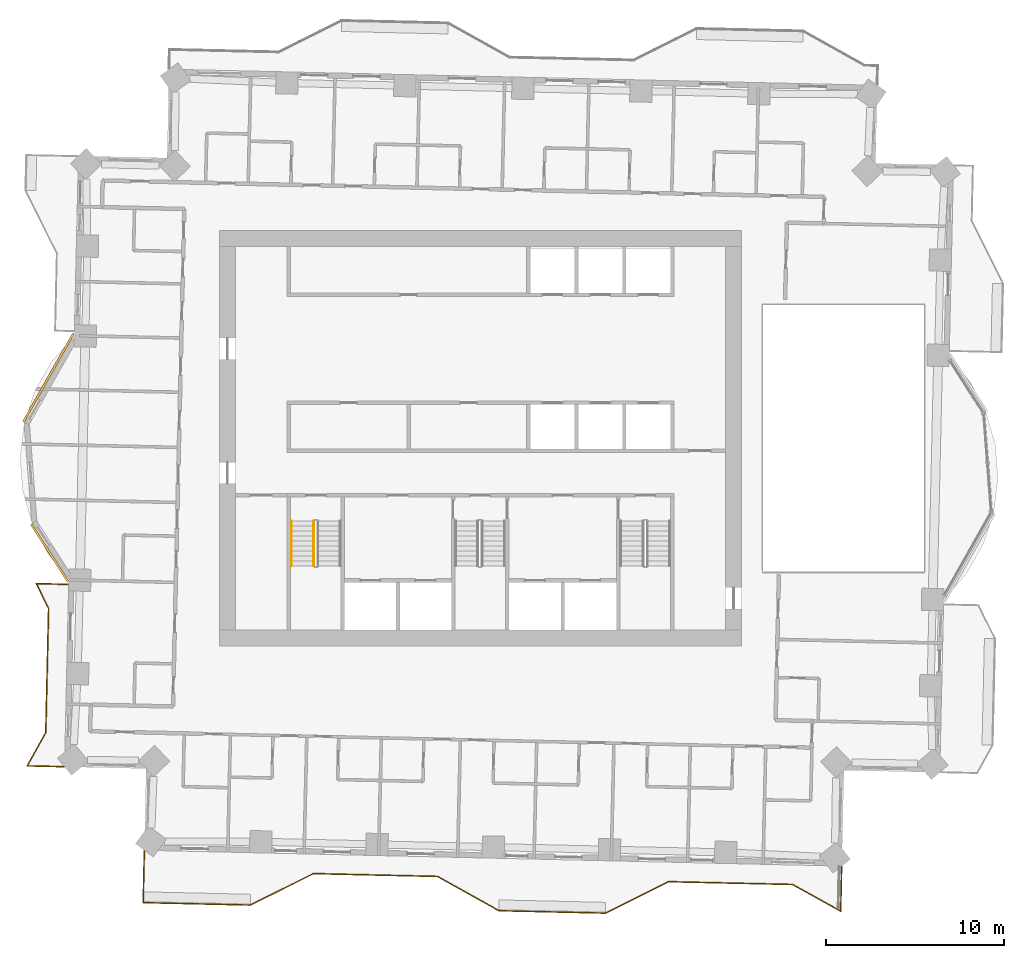
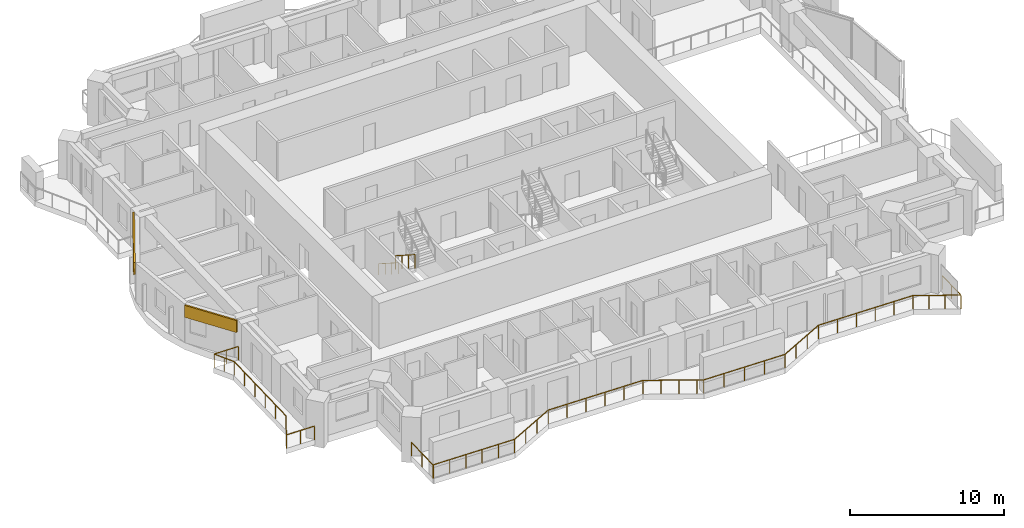
# One storey, part 11 of 14: 4 railings, 2 coverings.
"""IFC4 building model written with IfcOpenShell, lengths in metres."""

from ifc_helpers import new_model, si_unit, direction, frame, frame_2d, origin, origin_2d, place, context, subcontext, project, spatial, rectangle, circle, extrude, material, layer, layer_set, type_object, element, save


model = new_model("IFC4")

# Units and contexts
model_context = context("Model", 3, precision=1e-05, world=origin(), true_north=direction((0.0, 1.0)))
body_context = subcontext(model_context, "Body", "Model", "MODEL_VIEW")
ifc_project = project(units=[si_unit("LENGTHUNIT", "METRE"), si_unit("AREAUNIT", "SQUARE_METRE"), si_unit("VOLUMEUNIT", "CUBIC_METRE"), si_unit("PLANEANGLEUNIT", "RADIAN"), si_unit("MASSUNIT", "GRAM", prefix="KILO")], contexts=[model_context])

# Site, building, storey
site_placement = place(None, origin())
site = spatial("IfcSite", under=ifc_project, at=site_placement, CompositionType="ELEMENT")
building_placement = place(site_placement, origin())
building = spatial("IfcBuilding", under=site, at=building_placement, Name="Mangrove Gate Tower", CompositionType="ELEMENT")
storey_placement = place(building_placement, frame((0.0, 0.0, 159.89990234375)))
storey = spatial("IfcBuildingStorey", under=building, at=storey_placement, Name="L40", CompositionType="ELEMENT", Elevation=159.89990234375)

# Railings
ifc_material_1 = material(Name="Stainless steel grade 316 with laminated glass infill", Category="steel")
railing_type_1 = type_object("IfcRailingType", Name="Balcony guard 1100", PredefinedType="GUARDRAIL", material=ifc_material_1)
railing_1_placement = place(storey_placement, frame((-23.235107421875, -8.212890625, 0.0)))
element("IfcRailing", 1, at=railing_1_placement, inside=storey, type_object=railing_type_1, Name="GUARD L40 W2", PredefinedType="GUARDRAIL", context=body_context, shape_type="SweptSolid", body=[
    extrude(rectangle(XDim=0.048095703125, YDim=0.048095703125, at=origin_2d()), frame((0.0, 0.0, 1.076171875), z_axis=(-0.999751826813, 0.02227745014, 0.0), x_axis=(-0.02227745014, -0.999751826813, 0.0)), (0.0, 0.0, 1.0), 1.786376953125),
    extrude(rectangle(XDim=0.048095703125, YDim=0.048095703125, at=origin_2d()), frame((-1.785888671875, 0.039794921875, 1.076171875), z_axis=(0.447025166118, -0.894521380883, 0.0), x_axis=(0.894521380883, 0.447025166118, 0.0)), (0.0, 0.0, 1.0), 1.554931640625),
    extrude(rectangle(XDim=0.048095703125, YDim=0.048095703125, at=origin_2d()), frame((-1.0908203125, -1.35107421875, 1.076171875), z_axis=(-0.022740419861, -0.999741403216, 0.0), x_axis=(0.999741403216, -0.022740419861, 0.0)), (0.0, 0.0, 1.0), 6.999755859375),
    extrude(rectangle(XDim=0.048095703125, YDim=0.048095703125, at=origin_2d()), frame((-1.25, -8.34912109375, 1.076171875), z_axis=(-0.487108305648, -0.873341570388, 0.0), x_axis=(0.873341570388, -0.487108305648, 0.0)), (0.0, 0.0, 1.0), 2.149169921875),
    extrude(rectangle(XDim=0.048095703125, YDim=0.048095703125, at=origin_2d()), frame((-2.296875, -10.22607421875, 1.076171875), z_axis=(0.999739510384, -0.022823483026, 0.0), x_axis=(0.022823483026, 0.999739510384, 0.0)), (0.0, 0.0, 1.0), 2.064453125),
    extrude(rectangle(XDim=0.0419921875, YDim=0.0419921875, at=origin_2d()), origin(), (0.0, 0.0, 1.0), 1.052001953125),
    extrude(rectangle(XDim=0.0419921875, YDim=0.0419921875, at=origin_2d()), frame((-0.89306640625, 0.02001953125, 0.0)), (0.0, 0.0, 1.0), 1.052001953125),
    extrude(rectangle(XDim=0.0419921875, YDim=0.0419921875, at=origin_2d()), frame((-1.785888671875, 0.039794921875, 0.0)), (0.0, 0.0, 1.0), 1.052001953125),
    extrude(rectangle(XDim=0.0419921875, YDim=0.0419921875, at=origin_2d()), frame((-1.4384765625, -0.65576171875, 0.0)), (0.0, 0.0, 1.0), 1.052001953125),
    extrude(rectangle(XDim=0.0419921875, YDim=0.0419921875, at=origin_2d()), frame((-1.0908203125, -1.35107421875, 0.0)), (0.0, 0.0, 1.0), 1.052001953125),
    extrude(rectangle(XDim=0.0419921875, YDim=0.0419921875, at=origin_2d()), frame((-1.12255859375, -2.750732421875, 0.0)), (0.0, 0.0, 1.0), 1.052001953125),
    extrude(rectangle(XDim=0.0419921875, YDim=0.0419921875, at=origin_2d()), frame((-1.154541015625, -4.150390625, 0.0)), (0.0, 0.0, 1.0), 1.052001953125),
    extrude(rectangle(XDim=0.0419921875, YDim=0.0419921875, at=origin_2d()), frame((-1.186279296875, -5.5498046875, 0.0)), (0.0, 0.0, 1.0), 1.052001953125),
    extrude(rectangle(XDim=0.0419921875, YDim=0.0419921875, at=origin_2d()), frame((-1.21826171875, -6.949462890625, 0.0)), (0.0, 0.0, 1.0), 1.052001953125),
    extrude(rectangle(XDim=0.0419921875, YDim=0.0419921875, at=origin_2d()), frame((-1.25, -8.34912109375, 0.0)), (0.0, 0.0, 1.0), 1.052001953125),
    extrude(rectangle(XDim=0.0419921875, YDim=0.0419921875, at=origin_2d()), frame((-1.7734375, -9.28759765625, 0.0)), (0.0, 0.0, 1.0), 1.052001953125),
    extrude(rectangle(XDim=0.0419921875, YDim=0.0419921875, at=origin_2d()), frame((-2.296875, -10.22607421875, 0.0)), (0.0, 0.0, 1.0), 1.052001953125),
    extrude(rectangle(XDim=0.0419921875, YDim=0.0419921875, at=origin_2d()), frame((-1.264892578125, -10.24951171875, 0.0)), (0.0, 0.0, 1.0), 1.052001953125),
    extrude(rectangle(XDim=0.0419921875, YDim=0.0419921875, at=origin_2d()), frame((-0.23291015625, -10.273193359375, 0.0)), (0.0, 0.0, 1.0), 1.052001953125),
])
railing_2_placement = place(storey_placement, frame((-18.93505859375, -23.22998046875, 0.0)))
element("IfcRailing", 2, at=railing_2_placement, inside=storey, type_object=railing_type_1, Name="GUARD L40 S1", PredefinedType="GUARDRAIL", context=body_context, shape_type="SweptSolid", body=[
    extrude(rectangle(XDim=0.048095703125, YDim=0.048095703125, at=origin_2d()), frame((0.0, 0.0, 1.076171875), z_axis=(-0.022481424582, -0.999747260836, 0.0), x_axis=(0.999747260836, -0.022481424582, 0.0)), (0.0, 0.0, 1.0), 2.888671875),
    extrude(rectangle(XDim=0.048095703125, YDim=0.048095703125, at=origin_2d()), frame((-0.06494140625, -2.887939453125, 1.076171875), z_axis=(0.871575537125, -0.490261239633, 0.0), x_axis=(0.490261239633, 0.871575537125, 0.0)), (0.0, 0.0, 1.0), 0.044921875),
    extrude(rectangle(XDim=0.048095703125, YDim=0.048095703125, at=origin_2d()), frame((-0.02587890625, -2.909912109375, 1.076171875), z_axis=(0.999743178102, -0.022662255828, 0.0), x_axis=(0.022662255828, 0.999743178102, 0.0)), (0.0, 0.0, 1.0), 6.00048828125),
    extrude(rectangle(XDim=0.048095703125, YDim=0.048095703125, at=origin_2d()), frame((5.97314453125, -3.0458984375, 1.076171875), z_axis=(0.894501186021, 0.447065574839, 0.0), x_axis=(-0.447065574839, 0.894501186021, 0.0)), (0.0, 0.0, 1.0), 3.958740234375),
    extrude(rectangle(XDim=0.048095703125, YDim=0.048095703125, at=origin_2d()), frame((9.51416015625, -1.276123046875, 1.076171875), z_axis=(0.999742177561, -0.022706351659, 0.0), x_axis=(0.022706351659, 0.999742177561, 0.0)), (0.0, 0.0, 1.0), 6.99951171875),
    extrude(rectangle(XDim=0.048095703125, YDim=0.048095703125, at=origin_2d()), frame((16.511962890625, -1.43505859375, 1.076171875), z_axis=(0.87332171879, -0.487143896082, 0.0), x_axis=(0.487143896082, 0.87332171879, 0.0)), (0.0, 0.0, 1.0), 3.506103515625),
    extrude(rectangle(XDim=0.048095703125, YDim=0.048095703125, at=origin_2d()), frame((19.573974609375, -3.14306640625, 1.076171875), z_axis=(0.872754252062, -0.488159825782, 0.0), x_axis=(0.488159825782, 0.872754252062, 0.0)), (0.0, 0.0, 1.0), 0.45263671875),
    extrude(rectangle(XDim=0.048095703125, YDim=0.048095703125, at=origin_2d()), frame((19.968994140625, -3.364013671875, 1.076171875), z_axis=(0.999743094499, -0.022665943652, 0.0), x_axis=(0.022665943652, 0.999743094499, 0.0)), (0.0, 0.0, 1.0), 5.99951171875),
    extrude(rectangle(XDim=0.048095703125, YDim=0.048095703125, at=origin_2d()), frame((25.967041015625, -3.5, 1.076171875), z_axis=(0.894525821107, 0.447016280881, 0.0), x_axis=(-0.447016280881, 0.894525821107, 0.0)), (0.0, 0.0, 1.0), 3.959716796875),
    extrude(rectangle(XDim=0.048095703125, YDim=0.048095703125, at=origin_2d()), frame((29.509033203125, -1.72998046875, 1.076171875), z_axis=(0.999745352708, -0.022566119286, 0.0), x_axis=(0.022566119286, 0.999745352708, 0.0)), (0.0, 0.0, 1.0), 6.999755859375),
    extrude(rectangle(XDim=0.048095703125, YDim=0.048095703125, at=origin_2d()), frame((36.507080078125, -1.887939453125, 1.076171875), z_axis=(0.873245260836, -0.487280939938, 0.0), x_axis=(0.487280939938, 0.873245260836, 0.0)), (0.0, 0.0, 1.0), 3.098876953125),
    extrude(rectangle(XDim=0.048095703125, YDim=0.048095703125, at=origin_2d()), frame((39.213134765625, -3.39794921875, 1.076171875), z_axis=(0.022686018205, 0.999742639172, 0.0), x_axis=(-0.999742639172, 0.022686018205, 0.0)), (0.0, 0.0, 1.0), 2.507568359375),
    extrude(rectangle(XDim=0.0419921875, YDim=0.0419921875, at=origin_2d()), origin(), (0.0, 0.0, 1.0), 1.052001953125),
    extrude(rectangle(XDim=0.0419921875, YDim=0.0419921875, at=origin_2d()), frame((-0.032470703125, -1.44384765625, 0.0)), (0.0, 0.0, 1.0), 1.052001953125),
    extrude(rectangle(XDim=0.0419921875, YDim=0.0419921875, at=origin_2d()), frame((-0.06494140625, -2.887939453125, 0.0)), (0.0, 0.0, 1.0), 1.052001953125),
    extrude(rectangle(XDim=0.0419921875, YDim=0.0419921875, at=origin_2d()), frame((-0.02587890625, -2.909912109375, 0.0)), (0.0, 0.0, 1.0), 1.052001953125),
    extrude(rectangle(XDim=0.0419921875, YDim=0.0419921875, at=origin_2d()), frame((1.173828125, -2.93701171875, 0.0)), (0.0, 0.0, 1.0), 1.052001953125),
    extrude(rectangle(XDim=0.0419921875, YDim=0.0419921875, at=origin_2d()), frame((2.373779296875, -2.96435546875, 0.0)), (0.0, 0.0, 1.0), 1.052001953125),
    extrude(rectangle(XDim=0.0419921875, YDim=0.0419921875, at=origin_2d()), frame((3.573486328125, -2.991455078125, 0.0)), (0.0, 0.0, 1.0), 1.052001953125),
    extrude(rectangle(XDim=0.0419921875, YDim=0.0419921875, at=origin_2d()), frame((4.7734375, -3.018798828125, 0.0)), (0.0, 0.0, 1.0), 1.052001953125),
    extrude(rectangle(XDim=0.0419921875, YDim=0.0419921875, at=origin_2d()), frame((5.97314453125, -3.0458984375, 0.0)), (0.0, 0.0, 1.0), 1.052001953125),
    extrude(rectangle(XDim=0.0419921875, YDim=0.0419921875, at=origin_2d()), frame((7.153564453125, -2.4560546875, 0.0)), (0.0, 0.0, 1.0), 1.052001953125),
    extrude(rectangle(XDim=0.0419921875, YDim=0.0419921875, at=origin_2d()), frame((8.333740234375, -1.865966796875, 0.0)), (0.0, 0.0, 1.0), 1.052001953125),
    extrude(rectangle(XDim=0.0419921875, YDim=0.0419921875, at=origin_2d()), frame((9.51416015625, -1.276123046875, 0.0)), (0.0, 0.0, 1.0), 1.052001953125),
    extrude(rectangle(XDim=0.0419921875, YDim=0.0419921875, at=origin_2d()), frame((10.913818359375, -1.307861328125, 0.0)), (0.0, 0.0, 1.0), 1.052001953125),
    extrude(rectangle(XDim=0.0419921875, YDim=0.0419921875, at=origin_2d()), frame((12.313232421875, -1.339599609375, 0.0)), (0.0, 0.0, 1.0), 1.052001953125),
    extrude(rectangle(XDim=0.0419921875, YDim=0.0419921875, at=origin_2d()), frame((13.712890625, -1.37158203125, 0.0)), (0.0, 0.0, 1.0), 1.052001953125),
    extrude(rectangle(XDim=0.0419921875, YDim=0.0419921875, at=origin_2d()), frame((15.1123046875, -1.4033203125, 0.0)), (0.0, 0.0, 1.0), 1.052001953125),
    extrude(rectangle(XDim=0.0419921875, YDim=0.0419921875, at=origin_2d()), frame((16.511962890625, -1.43505859375, 0.0)), (0.0, 0.0, 1.0), 1.052001953125),
    extrude(rectangle(XDim=0.0419921875, YDim=0.0419921875, at=origin_2d()), frame((17.53271484375, -2.00439453125, 0.0)), (0.0, 0.0, 1.0), 1.052001953125),
    extrude(rectangle(XDim=0.0419921875, YDim=0.0419921875, at=origin_2d()), frame((18.55322265625, -2.57373046875, 0.0)), (0.0, 0.0, 1.0), 1.052001953125),
    extrude(rectangle(XDim=0.0419921875, YDim=0.0419921875, at=origin_2d()), frame((19.573974609375, -3.14306640625, 0.0)), (0.0, 0.0, 1.0), 1.052001953125),
    extrude(rectangle(XDim=0.0419921875, YDim=0.0419921875, at=origin_2d()), frame((19.968994140625, -3.364013671875, 0.0)), (0.0, 0.0, 1.0), 1.052001953125),
    extrude(rectangle(XDim=0.0419921875, YDim=0.0419921875, at=origin_2d()), frame((21.468505859375, -3.39794921875, 0.0)), (0.0, 0.0, 1.0), 1.052001953125),
    extrude(rectangle(XDim=0.0419921875, YDim=0.0419921875, at=origin_2d()), frame((22.968017578125, -3.43212890625, 0.0)), (0.0, 0.0, 1.0), 1.052001953125),
    extrude(rectangle(XDim=0.0419921875, YDim=0.0419921875, at=origin_2d()), frame((24.467529296875, -3.466064453125, 0.0)), (0.0, 0.0, 1.0), 1.052001953125),
    extrude(rectangle(XDim=0.0419921875, YDim=0.0419921875, at=origin_2d()), frame((25.967041015625, -3.5, 0.0)), (0.0, 0.0, 1.0), 1.052001953125),
    extrude(rectangle(XDim=0.0419921875, YDim=0.0419921875, at=origin_2d()), frame((27.147705078125, -2.909912109375, 0.0)), (0.0, 0.0, 1.0), 1.052001953125),
    extrude(rectangle(XDim=0.0419921875, YDim=0.0419921875, at=origin_2d()), frame((28.328369140625, -2.320068359375, 0.0)), (0.0, 0.0, 1.0), 1.052001953125),
    extrude(rectangle(XDim=0.0419921875, YDim=0.0419921875, at=origin_2d()), frame((29.509033203125, -1.72998046875, 0.0)), (0.0, 0.0, 1.0), 1.052001953125),
    extrude(rectangle(XDim=0.0419921875, YDim=0.0419921875, at=origin_2d()), frame((30.90869140625, -1.761474609375, 0.0)), (0.0, 0.0, 1.0), 1.052001953125),
    extrude(rectangle(XDim=0.0419921875, YDim=0.0419921875, at=origin_2d()), frame((32.308349609375, -1.793212890625, 0.0)), (0.0, 0.0, 1.0), 1.052001953125),
    extrude(rectangle(XDim=0.0419921875, YDim=0.0419921875, at=origin_2d()), frame((33.707763671875, -1.82470703125, 0.0)), (0.0, 0.0, 1.0), 1.052001953125),
    extrude(rectangle(XDim=0.0419921875, YDim=0.0419921875, at=origin_2d()), frame((35.107421875, -1.8564453125, 0.0)), (0.0, 0.0, 1.0), 1.052001953125),
    extrude(rectangle(XDim=0.0419921875, YDim=0.0419921875, at=origin_2d()), frame((36.507080078125, -1.887939453125, 0.0)), (0.0, 0.0, 1.0), 1.052001953125),
    extrude(rectangle(XDim=0.0419921875, YDim=0.0419921875, at=origin_2d()), frame((37.4091796875, -2.391357421875, 0.0)), (0.0, 0.0, 1.0), 1.052001953125),
    extrude(rectangle(XDim=0.0419921875, YDim=0.0419921875, at=origin_2d()), frame((38.31103515625, -2.89453125, 0.0)), (0.0, 0.0, 1.0), 1.052001953125),
    extrude(rectangle(XDim=0.0419921875, YDim=0.0419921875, at=origin_2d()), frame((39.213134765625, -3.39794921875, 0.0)), (0.0, 0.0, 1.0), 1.052001953125),
    extrude(rectangle(XDim=0.0419921875, YDim=0.0419921875, at=origin_2d()), frame((39.24169921875, -2.14453125, 0.0)), (0.0, 0.0, 1.0), 1.052001953125),
    extrude(rectangle(XDim=0.0419921875, YDim=0.0419921875, at=origin_2d()), frame((39.27001953125, -0.89111328125, 0.0)), (0.0, 0.0, 1.0), 1.052001953125),
])
ifc_material_2 = material(Name="Stainless steel 316", Category="steel")
railing_type_2 = type_object("IfcRailingType", Name="Core stair guard 1100", PredefinedType="GUARDRAIL", material=ifc_material_2)
railing_3_placement = place(storey_placement, frame((-9.39990234375, -4.64990234375, 0.18017578125)))
element("IfcRailing", 3, at=railing_3_placement, inside=storey, type_object=railing_type_2, Name="L40 ST1 stair guard 1", PredefinedType="GUARDRAIL", context=body_context, shape_type="SweptSolid", body=[
    extrude(rectangle(XDim=0.048095703125, YDim=0.048095703125, at=origin_2d()), frame((0.0, 0.0, 1.076171875), z_axis=(0.0, -0.841199657755, 0.540724639528), x_axis=(1.0, 0.0, 0.0)), (0.0, 0.0, 1.0), 2.995849609375),
    extrude(rectangle(XDim=0.0419921875, YDim=0.0419921875, at=origin_2d()), origin(), (0.0, 0.0, 1.0), 1.052001953125),
    extrude(rectangle(XDim=0.0419921875, YDim=0.0419921875, at=origin_2d()), frame((0.0, -0.840087890625, 0.5400390625)), (0.0, 0.0, 1.0), 1.052001953125),
    extrude(rectangle(XDim=0.0419921875, YDim=0.0419921875, at=origin_2d()), frame((0.0, -1.679931640625, 1.079833984375)), (0.0, 0.0, 1.0), 1.052001953125),
    extrude(rectangle(XDim=0.0419921875, YDim=0.0419921875, at=origin_2d()), frame((0.0, -2.52001953125, 1.619873046875)), (0.0, 0.0, 1.0), 1.052001953125),
])
ifc_material_3 = material(Name="Stainless steel 316", Category="steel")
railing_type_3 = type_object("IfcRailingType", Name="Core stair handrail 900", PredefinedType="HANDRAIL", material=ifc_material_3)
railing_4_placement = place(storey_placement, frame((-10.64990234375, -4.64990234375, 0.18017578125)))
element("IfcRailing", 4, at=railing_4_placement, inside=storey, type_object=railing_type_3, Name="L40 ST1 stair handrail 1", PredefinedType="HANDRAIL", context=body_context, shape_type="SweptSolid", body=[
    extrude(circle(Radius=0.02392578125, at=origin_2d()), frame((0.0, 0.0, 0.8759765625), z_axis=(0.0, -0.841199657755, 0.540724639528), x_axis=(1.0, 0.0, 0.0)), (0.0, 0.0, 1.0), 2.995849609375),
    extrude(circle(Radius=0.02099609375, at=origin_2d()), origin(), (0.0, 0.0, 1.0), 0.851806640625),
    extrude(circle(Radius=0.02099609375, at=origin_2d()), frame((0.0, -0.840087890625, 0.5400390625)), (0.0, 0.0, 1.0), 0.851806640625),
    extrude(circle(Radius=0.02099609375, at=origin_2d()), frame((0.0, -1.679931640625, 1.079833984375)), (0.0, 0.0, 1.0), 0.851806640625),
    extrude(circle(Radius=0.02099609375, at=origin_2d()), frame((0.0, -2.52001953125, 1.619873046875)), (0.0, 0.0, 1.0), 0.851806640625),
])

# Coverings
ifc_material_4 = material(Name="Limestone", Category="masonry")
ifc_layer_1 = layer(ifc_material_4, 0.0400390625, Name="Limestone cladding")
ifc_material_5 = material(Name="Stainless steel anchors and cavity", Category="steel")
ifc_layer_2 = layer(ifc_material_5, 0.080078125, Name="Fixing cavity")
ifc_layer_set = layer_set([ifc_layer_1, ifc_layer_2], Name="Joint fascia cladding 120")
covering_type = type_object("IfcCoveringType", Name="Joint fascia cladding 120", PredefinedType="CLADDING", material=ifc_layer_set)
covering_1_placement = place(storey_placement, frame((-22.925048828125, 5.908935546875, 2.10009765625), z_axis=(0.0, 0.0, 1.0), x_axis=(-0.49249427368, -0.870315684331, 0.0)))
element("IfcCovering", 5, at=covering_1_placement, inside=storey, type_object=covering_type, Name="STONE FASCIA L40 W9.L1", PredefinedType="CLADDING", context=body_context, shape_type="SweptSolid", body=[
    extrude(rectangle(XDim=5.705810546875, YDim=0.1201171875, at=frame_2d((2.85302734375, 0.0))), origin(), (0.0, 0.0, 1.0), 0.949951171875),
])
covering_2_placement = place(storey_placement, frame((-25.300048828125, -4.830078125, 2.10009765625), z_axis=(0.0, 0.0, 1.0), x_axis=(0.540486138148, -0.841352919095, 0.0)))
element("IfcCovering", 6, at=covering_2_placement, inside=storey, type_object=covering_type, Name="STONE FASCIA L40 W9.L2", PredefinedType="CLADDING", context=body_context, shape_type="SweptSolid", body=[
    extrude(rectangle(XDim=3.818603515625, YDim=0.1201171875, at=frame_2d((1.9091796875, 0.0))), origin(), (0.0, 0.0, 1.0), 0.949951171875),
])

save(model, "model.ifc")
